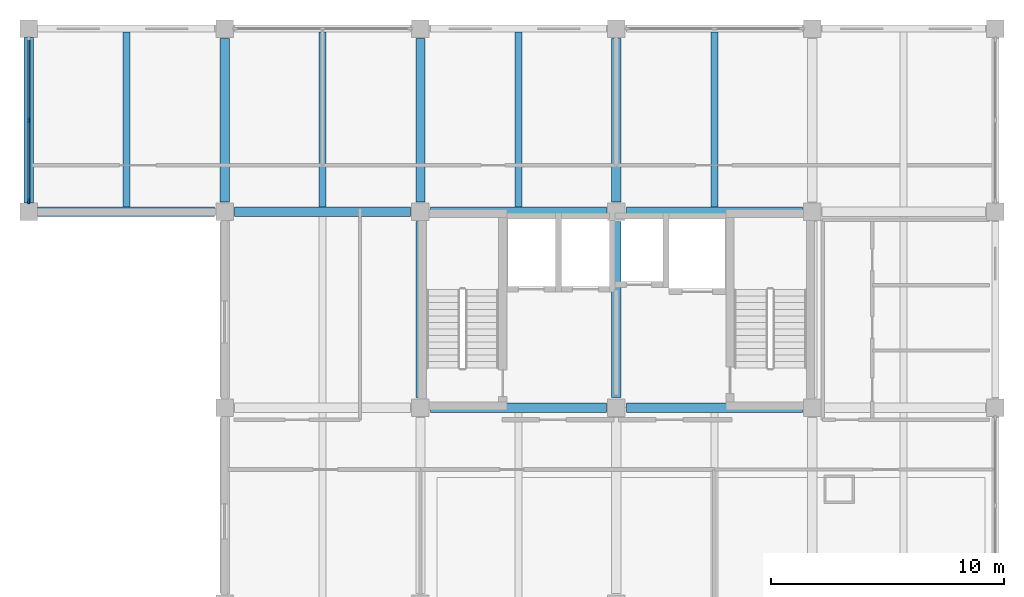
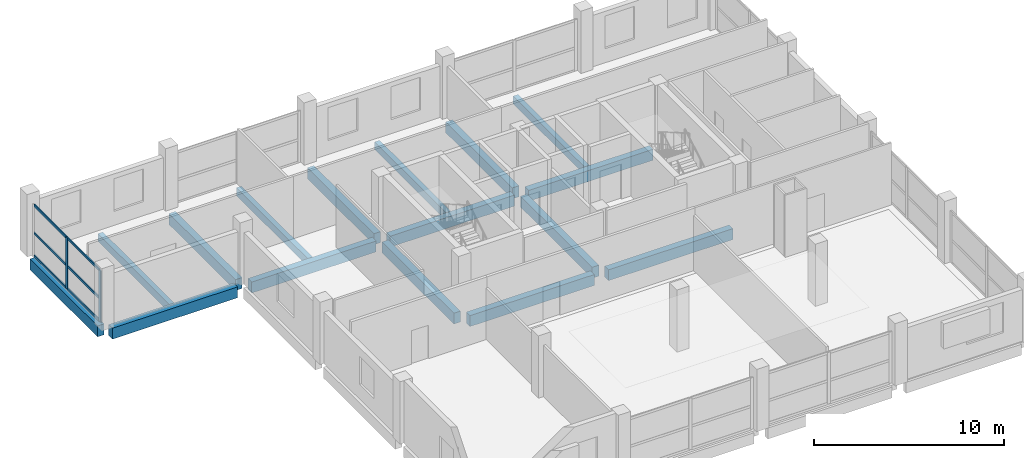
# One storey, part 3 of 9: 16 beams, 8 members, 1 element without a shape of its own.
"""IFC4 building model written with IfcOpenShell, lengths in metres."""

from ifc_helpers import new_model, si_unit, direction, frame, origin, origin_2d, place, context, subcontext, project, spatial, rectangle, extrude, material, material_profile, profile_set, type_object, element, aggregate, save


model = new_model("IFC4")

# Units and contexts
model_context = context("Model", 3, precision=1e-05, world=origin(), true_north=direction((0.0, 1.0)))
body_context = subcontext(model_context, "Body", "Model", "MODEL_VIEW")
ifc_project = project(units=[si_unit("LENGTHUNIT", "METRE"), si_unit("AREAUNIT", "SQUARE_METRE"), si_unit("VOLUMEUNIT", "CUBIC_METRE"), si_unit("PLANEANGLEUNIT", "RADIAN"), si_unit("MASSUNIT", "GRAM", prefix="KILO")], contexts=[model_context])

# Site, building, storey
site_placement = place(None, origin())
site = spatial("IfcSite", under=ifc_project, at=site_placement, CompositionType="ELEMENT")
building_placement = place(site_placement, origin())
building = spatial("IfcBuilding", under=site, at=building_placement, Name="Brinegate Botanical Conservatory", CompositionType="ELEMENT")
storey_placement = place(building_placement, frame((0.0, 0.0, 40.199951171875)))
storey = spatial("IfcBuildingStorey", under=building, at=storey_placement, Name="L10", CompositionType="ELEMENT", Elevation=40.199951171875)

# Beams
ifc_material_1 = material(Name="Concrete C40/50", Category="concrete")
ifc_material_profile_1 = material_profile(ifc_material_1, rectangle(XDim=0.39990234375, YDim=0.699951171875, at=origin_2d()), Name="RC BM 400x700")
ifc_profile_set_1 = profile_set([ifc_material_profile_1], Name="Concrete C40/50")
beam_type_1 = type_object("IfcBeamType", Name="Beam_BM-T2", PredefinedType="BEAM", material=ifc_profile_set_1)
beam_1_placement = place(storey_placement, frame((139.22509765625, 95.199951171875, -0.530029296875), z_axis=(1.0, 0.0, 0.0), x_axis=(0.0, 1.0, 0.0)))
element("IfcBeam", 1, at=beam_1_placement, inside=storey, type_object=beam_type_1, Name="Beam BM-T2 L10 M:18-19", PredefinedType="BEAM", context=body_context, shape_type="SweptSolid", body=[
    extrude(rectangle(XDim=0.39990234375, YDim=0.699951171875, at=origin_2d()), origin(), (0.0, 0.0, 1.0), 7.5498046875),
])
beam_2_placement = place(storey_placement, frame((147.625, 95.199951171875, -0.530029296875), z_axis=(1.0, 0.0, 0.0), x_axis=(0.0, 1.0, 0.0)))
element("IfcBeam", 2, at=beam_2_placement, inside=storey, type_object=beam_type_1, Name="Beam BM-T2 L10 M:19-20", PredefinedType="BEAM", context=body_context, shape_type="SweptSolid", body=[
    extrude(rectangle(XDim=0.39990234375, YDim=0.699951171875, at=origin_2d()), origin(), (0.0, 0.0, 1.0), 7.550048828125),
])
beam_3_placement = place(storey_placement, frame((122.375, 103.60009765625, -0.530029296875), z_axis=(1.0, 0.0, 0.0), x_axis=(0.0, 1.0, 0.0)))
element("IfcBeam", 3, at=beam_3_placement, inside=storey, type_object=beam_type_1, Name="Beam BM-T2 L10 N:16-17", PredefinedType="BEAM", context=body_context, shape_type="SweptSolid", body=[
    extrude(rectangle(XDim=0.39990234375, YDim=0.699951171875, at=origin_2d()), origin(), (0.0, 0.0, 1.0), 7.60009765625),
])
beam_4_placement = place(storey_placement, frame((130.824951171875, 103.60009765625, -0.530029296875), z_axis=(1.0, 0.0, 0.0), x_axis=(0.0, 1.0, 0.0)))
element("IfcBeam", 4, at=beam_4_placement, inside=storey, type_object=beam_type_1, Name="Beam BM-T2 L10 N:17-18", PredefinedType="BEAM", context=body_context, shape_type="SweptSolid", body=[
    extrude(rectangle(XDim=0.39990234375, YDim=0.699951171875, at=origin_2d()), origin(), (0.0, 0.0, 1.0), 7.550048828125),
])
beam_5_placement = place(storey_placement, frame((139.22509765625, 103.60009765625, -0.530029296875), z_axis=(1.0, 0.0, 0.0), x_axis=(0.0, 1.0, 0.0)))
element("IfcBeam", 5, at=beam_5_placement, inside=storey, type_object=beam_type_1, Name="Beam BM-T2 L10 N:18-19", PredefinedType="BEAM", context=body_context, shape_type="SweptSolid", body=[
    extrude(rectangle(XDim=0.39990234375, YDim=0.699951171875, at=origin_2d()), origin(), (0.0, 0.0, 1.0), 7.5498046875),
])
beam_6_placement = place(storey_placement, frame((147.625, 103.60009765625, -0.530029296875), z_axis=(1.0, 0.0, 0.0), x_axis=(0.0, 1.0, 0.0)))
element("IfcBeam", 6, at=beam_6_placement, inside=storey, type_object=beam_type_1, Name="Beam BM-T2 L10 N:19-20", PredefinedType="BEAM", context=body_context, shape_type="SweptSolid", body=[
    extrude(rectangle(XDim=0.39990234375, YDim=0.699951171875, at=origin_2d()), origin(), (0.0, 0.0, 1.0), 7.550048828125),
])
beam_7_placement = place(storey_placement, frame((122.0, 103.97509765625, -0.530029296875), z_axis=(0.0, 1.0, 0.0), x_axis=(-1.0, 0.0, 0.0)))
element("IfcBeam", 7, at=beam_7_placement, inside=storey, type_object=beam_type_1, Name="Beam BM-T2 L10 16:N-P", PredefinedType="BEAM", context=body_context, shape_type="SweptSolid", body=[
    extrude(rectangle(XDim=0.39990234375, YDim=0.699951171875, at=origin_2d()), origin(), (0.0, 0.0, 1.0), 7.099853515625),
])
beam_8_placement = place(storey_placement, frame((130.39990234375, 104.02490234375, -0.530029296875), z_axis=(0.0, 1.0, 0.0), x_axis=(-1.0, 0.0, 0.0)))
element("IfcBeam", 8, at=beam_8_placement, inside=storey, type_object=beam_type_1, Name="Beam BM-T2 L10 17:N-P", PredefinedType="BEAM", context=body_context, shape_type="SweptSolid", body=[
    extrude(rectangle(XDim=0.39990234375, YDim=0.699951171875, at=origin_2d()), origin(), (0.0, 0.0, 1.0), 7.0),
])
beam_9_placement = place(storey_placement, frame((138.800048828125, 95.625, -0.530029296875), z_axis=(0.0, 1.0, 0.0), x_axis=(-1.0, 0.0, 0.0)))
element("IfcBeam", 9, at=beam_9_placement, inside=storey, type_object=beam_type_1, Name="Beam BM-T2 L10 18:M-N", PredefinedType="BEAM", context=body_context, shape_type="SweptSolid", body=[
    extrude(rectangle(XDim=0.39990234375, YDim=0.699951171875, at=origin_2d()), origin(), (0.0, 0.0, 1.0), 7.550048828125),
])
beam_10_placement = place(storey_placement, frame((138.800048828125, 104.02490234375, -0.530029296875), z_axis=(0.0, 1.0, 0.0), x_axis=(-1.0, 0.0, 0.0)))
element("IfcBeam", 10, at=beam_10_placement, inside=storey, type_object=beam_type_1, Name="Beam BM-T2 L10 18:N-P", PredefinedType="BEAM", context=body_context, shape_type="SweptSolid", body=[
    extrude(rectangle(XDim=0.39990234375, YDim=0.699951171875, at=origin_2d()), origin(), (0.0, 0.0, 1.0), 7.0),
])
beam_11_placement = place(storey_placement, frame((147.199951171875, 95.625, -0.530029296875), z_axis=(0.0, 1.0, 0.0), x_axis=(-1.0, 0.0, 0.0)))
element("IfcBeam", 11, at=beam_11_placement, inside=storey, type_object=beam_type_1, Name="Beam BM-T2 L10 19:M-N", PredefinedType="BEAM", context=body_context, shape_type="SweptSolid", body=[
    extrude(rectangle(XDim=0.39990234375, YDim=0.699951171875, at=origin_2d()), origin(), (0.0, 0.0, 1.0), 7.550048828125),
])
beam_12_placement = place(storey_placement, frame((147.199951171875, 104.02490234375, -0.530029296875), z_axis=(0.0, 1.0, 0.0), x_axis=(-1.0, 0.0, 0.0)))
element("IfcBeam", 12, at=beam_12_placement, inside=storey, type_object=beam_type_1, Name="Beam BM-T2 L10 19:N-P", PredefinedType="BEAM", context=body_context, shape_type="SweptSolid", body=[
    extrude(rectangle(XDim=0.39990234375, YDim=0.699951171875, at=origin_2d()), origin(), (0.0, 0.0, 1.0), 7.0),
])
ifc_material_profile_2 = material_profile(ifc_material_1, rectangle(XDim=0.300048828125, YDim=0.5, at=origin_2d()), Name="RC JST 300x500")
ifc_profile_set_2 = profile_set([ifc_material_profile_2], Name="Concrete C40/50")
beam_type_2 = type_object("IfcBeamType", Name="Beam_JS-C2", PredefinedType="JOIST", material=ifc_profile_set_2)
for number, where, z_axis, x_axis, name in (
    (13, (126.199951171875, 103.800048828125, -0.429931640625), (0.0, 1.0, 0.0), (-1.0, 0.0, 0.0), "Floor joist JS-C2 L10 bay 16.13"),
    (14, (134.60009765625, 103.800048828125, -0.429931640625), (0.0, 1.0, 0.0), (-1.0, 0.0, 0.0), "Floor joist JS-C2 L10 bay 17.13"),
    (15, (143.0, 103.800048828125, -0.429931640625), (0.0, 1.0, 0.0), (-1.0, 0.0, 0.0), "Floor joist JS-C2 L10 bay 18.13"),
    (16, (151.39990234375, 103.800048828125, -0.429931640625), (0.0, 1.0, 0.0), (-1.0, 0.0, 0.0), "Floor joist JS-C2 L10 bay 19.13"),
):
    element("IfcBeam", number, at=place(storey_placement, frame(where, z_axis=z_axis, x_axis=x_axis)), inside=storey, type_object=beam_type_2, Name=name, PredefinedType="JOIST", context=body_context, shape_type="SweptSolid", body=[
        extrude(rectangle(XDim=0.300048828125, YDim=0.5, at=origin_2d()), origin(), (0.0, 0.0, 1.0), 7.5),
    ])

# Curtain wall, members
ifc_material_2 = material(Name="Thermally broken anodised aluminium AW-6063-T6", Category="aluminium")
curtain_wall_type = type_object("IfcCurtainWallType", Name="CW_CW-TW1", PredefinedType="USERDEFINED", material=ifc_material_2)
curtain_wall_placement = place(storey_placement, origin())
curtain_wall = element("IfcCurtainWall", 17, at=curtain_wall_placement, inside=storey, type_object=curtain_wall_type, Name="Tower north-west curtain wall L10", ObjectType="FACTORY CURTAIN WALL", PredefinedType="USERDEFINED")
ifc_material_profile_3 = material_profile(ifc_material_2, rectangle(XDim=0.070068359375, YDim=0.199951171875, at=origin_2d()), Name="ALUM MULLION 70x200")
ifc_profile_set_3 = profile_set([ifc_material_profile_3], Name="Thermally broken anodised aluminium AW-6063-T6")
member_type_1 = type_object("IfcMemberType", Name="Member_ML-03", PredefinedType="MULLION", material=ifc_profile_set_3)
member_1_placement = place(storey_placement, frame((122.0, 104.050048828125, 0.0), z_axis=(0.0, 0.0, 1.0), x_axis=(-1.0, 0.0, 0.0)))
member_1 = element("IfcMember", 18, at=member_1_placement, type_object=member_type_1, Name="CW-TW1 mullion 1", PredefinedType="MULLION", context=body_context, shape_type="SweptSolid", body=[
    extrude(rectangle(XDim=0.070068359375, YDim=0.199951171875, at=origin_2d()), origin(), (0.0, 0.0, 1.0), 3.300048828125),
])
member_2_placement = place(storey_placement, frame((122.0, 107.52490234375, 0.0), z_axis=(0.0, 0.0, 1.0), x_axis=(-1.0, 0.0, 0.0)))
member_2 = element("IfcMember", 19, at=member_2_placement, type_object=member_type_1, Name="CW-TW1 mullion 2", PredefinedType="MULLION", context=body_context, shape_type="SweptSolid", body=[
    extrude(rectangle(XDim=0.070068359375, YDim=0.199951171875, at=origin_2d()), origin(), (0.0, 0.0, 1.0), 3.300048828125),
])
ifc_material_profile_4 = material_profile(ifc_material_2, rectangle(XDim=0.070068359375, YDim=0.14990234375, at=origin_2d()), Name="ALUM TRANSOM 70x150")
ifc_profile_set_4 = profile_set([ifc_material_profile_4], Name="Thermally broken anodised aluminium AW-6063-T6")
member_type_2 = type_object("IfcMemberType", Name="Member_TR-03", PredefinedType="USERDEFINED", material=ifc_profile_set_4)
member_3_placement = place(storey_placement, frame((122.0, 104.0849609375, 0.03515625), z_axis=(0.0, 1.0, 0.0), x_axis=(-1.0, 0.0, 0.0)))
member_3 = element("IfcMember", 20, at=member_3_placement, type_object=member_type_2, Name="CW-TW1 transom 1.1", ObjectType="TRANSOM", PredefinedType="USERDEFINED", context=body_context, shape_type="SweptSolid", body=[
    extrude(rectangle(XDim=0.070068359375, YDim=0.14990234375, at=origin_2d()), origin(), (0.0, 0.0, 1.0), 3.405029296875),
])
member_4_placement = place(storey_placement, frame((122.0, 104.0849609375, 1.485107421875), z_axis=(0.0, 1.0, 0.0), x_axis=(-1.0, 0.0, 0.0)))
member_4 = element("IfcMember", 21, at=member_4_placement, type_object=member_type_2, Name="CW-TW1 transom 1.2", ObjectType="TRANSOM", PredefinedType="USERDEFINED", context=body_context, shape_type="SweptSolid", body=[
    extrude(rectangle(XDim=0.070068359375, YDim=0.14990234375, at=origin_2d()), origin(), (0.0, 0.0, 1.0), 3.405029296875),
])
member_5_placement = place(storey_placement, frame((122.0, 104.0849609375, 3.26513671875), z_axis=(0.0, 1.0, 0.0), x_axis=(-1.0, 0.0, 0.0)))
member_5 = element("IfcMember", 22, at=member_5_placement, type_object=member_type_2, Name="CW-TW1 transom 1.3", ObjectType="TRANSOM", PredefinedType="USERDEFINED", context=body_context, shape_type="SweptSolid", body=[
    extrude(rectangle(XDim=0.070068359375, YDim=0.14990234375, at=origin_2d()), origin(), (0.0, 0.0, 1.0), 3.405029296875),
])
member_6_placement = place(storey_placement, frame((122.0, 107.56005859375, 0.03515625), z_axis=(0.0, 1.0, 0.0), x_axis=(-1.0, 0.0, 0.0)))
member_6 = element("IfcMember", 23, at=member_6_placement, type_object=member_type_2, Name="CW-TW1 transom 2.1", ObjectType="TRANSOM", PredefinedType="USERDEFINED", context=body_context, shape_type="SweptSolid", body=[
    extrude(rectangle(XDim=0.070068359375, YDim=0.14990234375, at=origin_2d()), origin(), (0.0, 0.0, 1.0), 3.405029296875),
])
member_7_placement = place(storey_placement, frame((122.0, 107.56005859375, 1.485107421875), z_axis=(0.0, 1.0, 0.0), x_axis=(-1.0, 0.0, 0.0)))
member_7 = element("IfcMember", 24, at=member_7_placement, type_object=member_type_2, Name="CW-TW1 transom 2.2", ObjectType="TRANSOM", PredefinedType="USERDEFINED", context=body_context, shape_type="SweptSolid", body=[
    extrude(rectangle(XDim=0.070068359375, YDim=0.14990234375, at=origin_2d()), origin(), (0.0, 0.0, 1.0), 3.405029296875),
])
member_8_placement = place(storey_placement, frame((122.0, 107.56005859375, 3.26513671875), z_axis=(0.0, 1.0, 0.0), x_axis=(-1.0, 0.0, 0.0)))
member_8 = element("IfcMember", 25, at=member_8_placement, type_object=member_type_2, Name="CW-TW1 transom 2.3", ObjectType="TRANSOM", PredefinedType="USERDEFINED", context=body_context, shape_type="SweptSolid", body=[
    extrude(rectangle(XDim=0.070068359375, YDim=0.14990234375, at=origin_2d()), origin(), (0.0, 0.0, 1.0), 3.405029296875),
])
aggregate(curtain_wall, [member_1, member_2, member_3, member_4, member_5, member_6, member_7, member_8])

save(model, "model.ifc")
